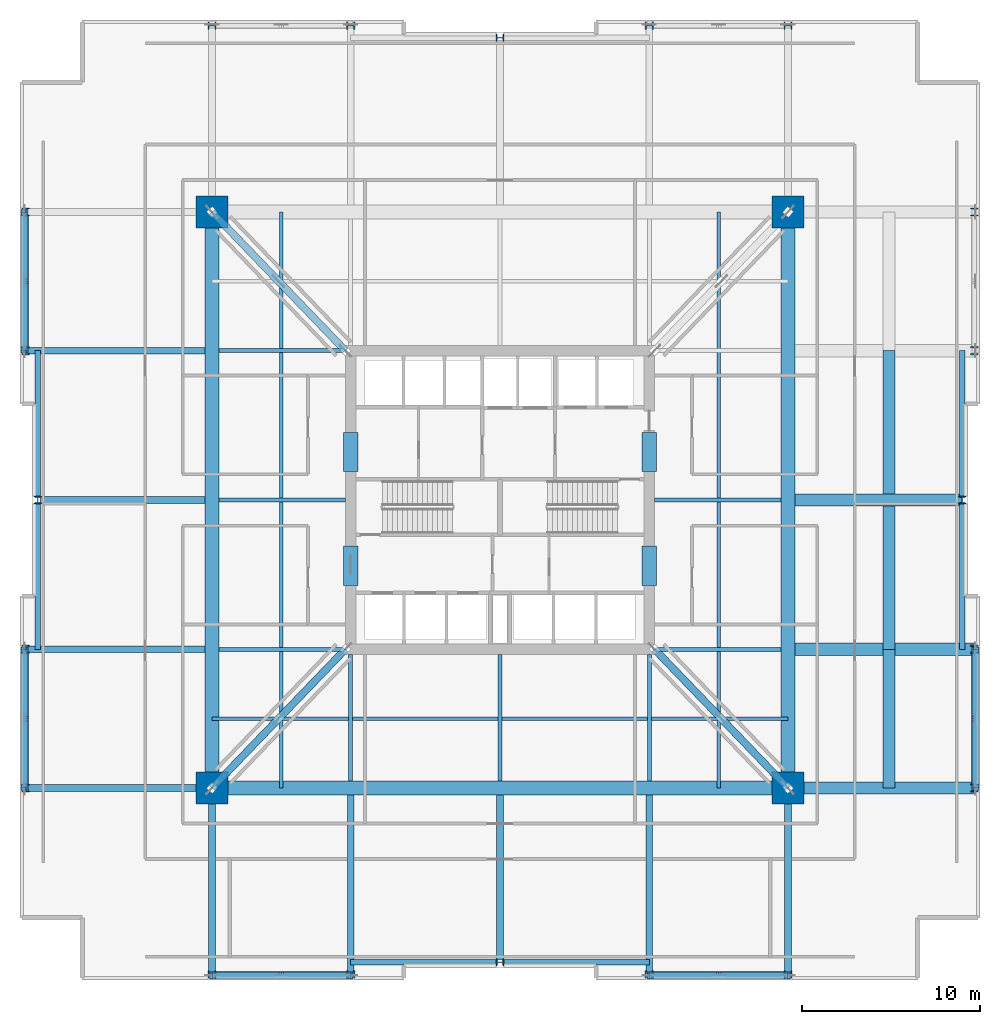
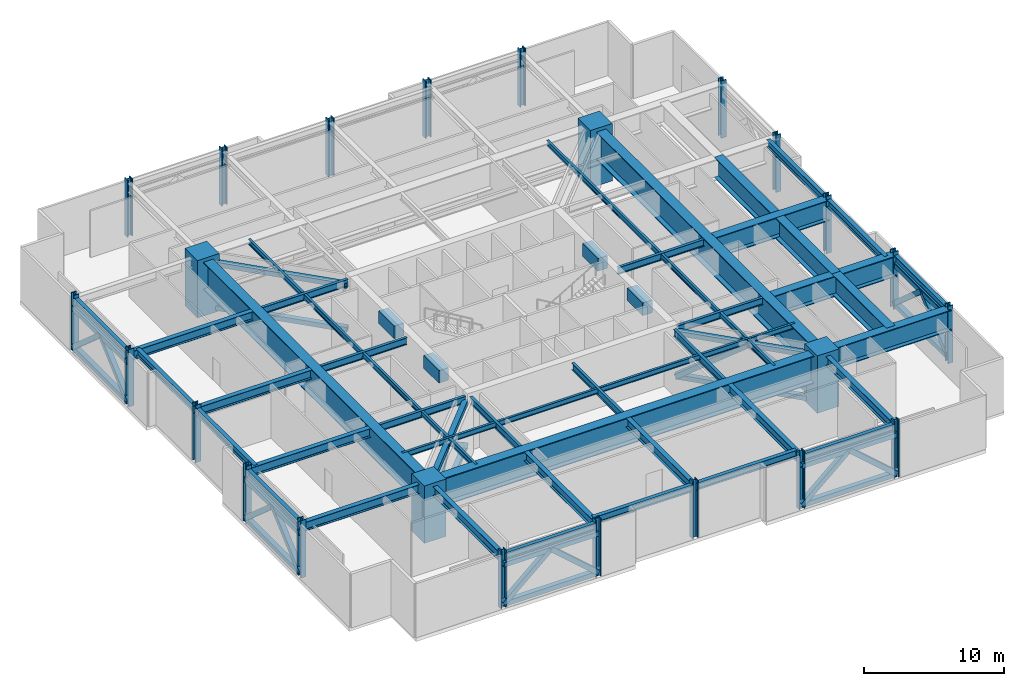
# One storey, part 1 of 13: 44 beams, 30 members, 24 columns.
"""IFC4 building model written with IfcOpenShell, lengths in metres."""

from ifc_helpers import new_model, si_unit, direction, frame, origin, origin_2d, place, context, subcontext, project, spatial, rectangle, hollow_rectangle, i_section, extrude, material, material_profile, profile_set, type_object, element, save


model = new_model("IFC4")

# Units and contexts
model_context = context("Model", 3, precision=1e-05, world=origin(), true_north=direction((0.0, 1.0)))
body_context = subcontext(model_context, "Body", "Model", "MODEL_VIEW")
ifc_project = project(units=[si_unit("LENGTHUNIT", "METRE"), si_unit("AREAUNIT", "SQUARE_METRE"), si_unit("VOLUMEUNIT", "CUBIC_METRE"), si_unit("PLANEANGLEUNIT", "RADIAN"), si_unit("MASSUNIT", "GRAM", prefix="KILO")], contexts=[model_context])

# Site, building, storey
site_placement = place(None, origin())
site = spatial("IfcSite", under=ifc_project, at=site_placement, CompositionType="ELEMENT")
building_placement = place(site_placement, origin())
building = spatial("IfcBuilding", under=site, at=building_placement, Name="Drelvath Grand Hotel", CompositionType="ELEMENT")
storey_placement = place(building_placement, frame((0.0, 0.0, 82.199951171875)))
storey = spatial("IfcBuildingStorey", under=building, at=storey_placement, Name="L20", CompositionType="ELEMENT", Elevation=82.199951171875)

# Columns
ifc_material_1 = material(Name="Concrete f'c 70 MPa", Category="concrete")
ifc_material_profile_1 = material_profile(ifc_material_1, rectangle(XDim=1.800048828125, YDim=1.800048828125, at=origin_2d()), Name="MC1800X1800")
ifc_profile_set_1 = profile_set([ifc_material_profile_1], Name="Concrete f'c 70 MPa")
column_type_1 = type_object("IfcColumnType", Name="Composite Mega Column MC1800X1800", PredefinedType="COLUMN", material=ifc_profile_set_1)
for number, where, z_axis, x_axis, name in (
    (1, (-16.199951171875, 10.800048828125, 0.0), (0.0, 0.0, 1.0), (1.0, 0.0, 0.0), "L20 Composite Mega Column MC-SW"),
    (2, (16.199951171875, 10.800048828125, 0.0), (0.0, 0.0, 1.0), (1.0, 0.0, 0.0), "L20 Composite Mega Column MC-SE"),
    (3, (-16.199951171875, 43.199951171875, 0.0), (0.0, 0.0, 1.0), (1.0, 0.0, 0.0), "L20 Composite Mega Column MC-NW"),
    (4, (16.199951171875, 43.199951171875, 0.0), (0.0, 0.0, 1.0), (1.0, 0.0, 0.0), "L20 Composite Mega Column MC-NE"),
):
    element("IfcColumn", number, at=place(storey_placement, frame(where, z_axis=z_axis, x_axis=x_axis)), inside=storey, type_object=column_type_1, Name=name, PredefinedType="COLUMN", context=body_context, shape_type="SweptSolid", body=[
        extrude(rectangle(XDim=1.800048828125, YDim=1.800048828125, at=origin_2d()), origin(), (0.0, 0.0, 1.0), 5.0),
    ])
ifc_material_2 = material(Name="Steel ASTM A913 Gr 65", Category="steel")
ifc_material_profile_2 = material_profile(ifc_material_2, i_section(OverallWidth=0.424072265625, OverallDepth=0.47412109375, WebThickness=0.047607421875, FlangeThickness=0.0771484375, FilletRadius=0.030029296875, at=origin_2d()), Name="W14X426")
ifc_profile_set_2 = profile_set([ifc_material_profile_2], Name="Steel ASTM A913 Gr 65")
column_type_2 = type_object("IfcColumnType", Name="Perimeter Steel Column W14X426", PredefinedType="COLUMN", material=ifc_profile_set_2)
for number, where, z_axis, x_axis, name in (
    (5, (-26.679931640625, 10.800048828125, 0.0), (0.0, 0.0, 1.0), (1.0, 0.0, 0.0), "L20 Structural Column TCW-C"),
    (6, (26.679931640625, 10.800048828125, 0.0), (0.0, 0.0, 1.0), (1.0, 0.0, 0.0), "L20 Structural Column TCE-C"),
    (7, (-26.679931640625, 18.60009765625, 0.0), (0.0, 0.0, 1.0), (1.0, 0.0, 0.0), "L20 Structural Column TCW-D"),
    (8, (26.679931640625, 18.60009765625, 0.0), (0.0, 0.0, 1.0), (1.0, 0.0, 0.0), "L20 Structural Column TCE-D"),
    (9, (-26.0, 27.0, 0.0), (0.0, 0.0, 1.0), (1.0, 0.0, 0.0), "L20 Structural Column TCW-E"),
    (10, (26.0, 27.0, 0.0), (0.0, 0.0, 1.0), (1.0, 0.0, 0.0), "L20 Structural Column TCE-E"),
    (11, (-26.679931640625, 35.39990234375, 0.0), (0.0, 0.0, 1.0), (1.0, 0.0, 0.0), "L20 Structural Column TCW-F"),
    (12, (26.679931640625, 35.39990234375, 0.0), (0.0, 0.0, 1.0), (1.0, 0.0, 0.0), "L20 Structural Column TCE-F"),
    (13, (-26.679931640625, 43.199951171875, 0.0), (0.0, 0.0, 1.0), (1.0, 0.0, 0.0), "L20 Structural Column TCW-G"),
    (14, (26.679931640625, 43.199951171875, 0.0), (0.0, 0.0, 1.0), (1.0, 0.0, 0.0), "L20 Structural Column TCE-G"),
    (15, (-16.199951171875, 0.320068359375, 0.0), (0.0, 0.0, 1.0), (0.0, 1.0, 0.0), "L20 Structural Column TCS-3"),
    (16, (-16.199951171875, 53.679931640625, 0.0), (0.0, 0.0, 1.0), (0.0, 1.0, 0.0), "L20 Structural Column TCN-3"),
    (17, (-8.39990234375, 0.320068359375, 0.0), (0.0, 0.0, 1.0), (0.0, 1.0, 0.0), "L20 Structural Column TCS-4"),
    (18, (-8.39990234375, 53.679931640625, 0.0), (0.0, 0.0, 1.0), (0.0, 1.0, 0.0), "L20 Structural Column TCN-4"),
    (19, (0.0, 1.0, 0.0), (0.0, 0.0, 1.0), (0.0, 1.0, 0.0), "L20 Structural Column TCS-5"),
    (20, (0.0, 53.0, 0.0), (0.0, 0.0, 1.0), (0.0, 1.0, 0.0), "L20 Structural Column TCN-5"),
    (21, (8.39990234375, 0.320068359375, 0.0), (0.0, 0.0, 1.0), (0.0, 1.0, 0.0), "L20 Structural Column TCS-6"),
    (22, (8.39990234375, 53.679931640625, 0.0), (0.0, 0.0, 1.0), (0.0, 1.0, 0.0), "L20 Structural Column TCN-6"),
    (23, (16.199951171875, 0.320068359375, 0.0), (0.0, 0.0, 1.0), (0.0, 1.0, 0.0), "L20 Structural Column TCS-7"),
    (24, (16.199951171875, 53.679931640625, 0.0), (0.0, 0.0, 1.0), (0.0, 1.0, 0.0), "L20 Structural Column TCN-7"),
):
    element("IfcColumn", number, at=place(storey_placement, frame(where, z_axis=z_axis, x_axis=x_axis)), inside=storey, type_object=column_type_2, Name=name, PredefinedType="COLUMN", context=body_context, shape_type="SweptSolid", body=[
        extrude(i_section(OverallWidth=0.424072265625, OverallDepth=0.47412109375, WebThickness=0.047607421875, FlangeThickness=0.0771484375, FilletRadius=0.030029296875, at=origin_2d()), origin(), (0.0, 0.0, 1.0), 4.9970703125),
    ])

# Beams
ifc_material_3 = material(Name="Steel ASTM A572 Gr 50", Category="steel")
ifc_material_profile_3 = material_profile(ifc_material_3, i_section(OverallWidth=0.699951171875, OverallDepth=1.800048828125, WebThickness=0.035888671875, FlangeThickness=0.06494140625, at=origin_2d()), Name="PG1800X700")
ifc_profile_set_3 = profile_set([ifc_material_profile_3], Name="Steel ASTM A572 Gr 50")
beam_type_1 = type_object("IfcBeamType", Name="Built-Up Transfer Girder PG1800X700", PredefinedType="BEAM", material=ifc_profile_set_3)
beam_1_placement = place(storey_placement, frame((21.8798828125, 10.800048828125, 3.800048828125), z_axis=(0.0, 1.0, 0.0), x_axis=(-1.0, 0.0, 0.0)))
element("IfcBeam", 25, at=beam_1_placement, inside=storey, type_object=beam_type_1, Name="L20 Setback Transfer Girder East 1", PredefinedType="BEAM", context=body_context, shape_type="SweptSolid", body=[
    extrude(i_section(OverallWidth=0.699951171875, OverallDepth=1.800048828125, WebThickness=0.035888671875, FlangeThickness=0.06494140625, at=origin_2d()), origin(), (0.0, 0.0, 1.0), 7.800048828125),
])
for number, where, z_axis, x_axis, name in (
    (26, (21.8798828125, 18.60009765625, 3.800048828125), (0.0, 1.0, 0.0), (-1.0, 0.0, 0.0), "L20 Setback Transfer Girder East 2"),
    (27, (21.8798828125, 27.35009765625, 3.800048828125), (0.0, 1.0, 0.0), (-1.0, 0.0, 0.0), "L20 Setback Transfer Girder East 3"),
):
    element("IfcBeam", number, at=place(storey_placement, frame(where, z_axis=z_axis, x_axis=x_axis)), inside=storey, type_object=beam_type_1, Name=name, PredefinedType="BEAM", context=body_context, shape_type="SweptSolid", body=[
        extrude(i_section(OverallWidth=0.699951171875, OverallDepth=1.800048828125, WebThickness=0.035888671875, FlangeThickness=0.06494140625, at=origin_2d()), origin(), (0.0, 0.0, 1.0), 8.0498046875),
    ])
beam_2_placement = place(storey_placement, frame((16.199951171875, 10.800048828125, 3.800048828125), z_axis=(1.0, 0.0, 0.0), x_axis=(0.0, 1.0, 0.0)))
element("IfcBeam", 28, at=beam_2_placement, inside=storey, type_object=beam_type_1, Name="L20 Setback Cross Transfer Girder C", PredefinedType="BEAM", context=body_context, shape_type="SweptSolid", body=[
    extrude(i_section(OverallWidth=0.699951171875, OverallDepth=1.800048828125, WebThickness=0.035888671875, FlangeThickness=0.06494140625, at=origin_2d()), origin(), (0.0, 0.0, 1.0), 10.47998046875),
])
beam_3_placement = place(storey_placement, frame((16.60009765625, 18.60009765625, 3.800048828125), z_axis=(1.0, 0.0, 0.0), x_axis=(0.0, 1.0, 0.0)))
element("IfcBeam", 29, at=beam_3_placement, inside=storey, type_object=beam_type_1, Name="L20 Setback Cross Transfer Girder D", PredefinedType="BEAM", context=body_context, shape_type="SweptSolid", body=[
    extrude(i_section(OverallWidth=0.699951171875, OverallDepth=1.800048828125, WebThickness=0.035888671875, FlangeThickness=0.06494140625, at=origin_2d()), origin(), (0.0, 0.0, 1.0), 10.079833984375),
])
beam_4_placement = place(storey_placement, frame((16.60009765625, 27.0, 3.800048828125), z_axis=(1.0, 0.0, 0.0), x_axis=(0.0, 1.0, 0.0)))
element("IfcBeam", 30, at=beam_4_placement, inside=storey, type_object=beam_type_1, Name="L20 Setback Cross Transfer Girder E", PredefinedType="BEAM", context=body_context, shape_type="SweptSolid", body=[
    extrude(i_section(OverallWidth=0.699951171875, OverallDepth=1.800048828125, WebThickness=0.035888671875, FlangeThickness=0.06494140625, at=origin_2d()), origin(), (0.0, 0.0, 1.0), 9.39990234375),
])
ifc_material_profile_4 = material_profile(ifc_material_3, i_section(OverallWidth=0.800048828125, OverallDepth=2.39990234375, WebThickness=0.0400390625, FlangeThickness=0.074951171875, at=origin_2d()), Name="PG2400X800")
ifc_profile_set_4 = profile_set([ifc_material_profile_4], Name="Steel ASTM A572 Gr 50")
beam_type_2 = type_object("IfcBeamType", Name="Built-Up Transfer Girder PG2400X800", PredefinedType="BEAM", material=ifc_profile_set_4)
for number, where, z_axis, x_axis, name in (
    (31, (-16.199951171875, 10.800048828125, 3.5), (1.0, 0.0, 0.0), (0.0, 1.0, 0.0), "L20 Mega Ring Girder South"),
    (32, (-16.199951171875, 10.800048828125, 3.5), (0.0, 1.0, 0.0), (-1.0, 0.0, 0.0), "L20 Mega Ring Girder West"),
    (33, (16.199951171875, 10.800048828125, 3.5), (0.0, 1.0, 0.0), (-1.0, 0.0, 0.0), "L20 Mega Ring Girder East"),
):
    element("IfcBeam", number, at=place(storey_placement, frame(where, z_axis=z_axis, x_axis=x_axis)), inside=storey, type_object=beam_type_2, Name=name, PredefinedType="BEAM", context=body_context, shape_type="SweptSolid", body=[
        extrude(i_section(OverallWidth=0.800048828125, OverallDepth=2.39990234375, WebThickness=0.0400390625, FlangeThickness=0.074951171875, at=origin_2d()), origin(), (0.0, 0.0, 1.0), 32.39990234375),
    ])
ifc_material_4 = material(Name="Steel ASTM A992 Gr 50", Category="steel")
ifc_material_profile_5 = material_profile(ifc_material_4, i_section(OverallWidth=0.19140625, OverallDepth=0.4599609375, WebThickness=0.010009765625, FlangeThickness=0.01611328125, FilletRadius=0.01611328125, at=origin_2d()), Name="W18X55")
ifc_profile_set_5 = profile_set([ifc_material_profile_5], Name="Steel ASTM A992 Gr 50")
beam_type_3 = type_object("IfcBeamType", Name="Composite Floor Joist W18X55", PredefinedType="JOIST", material=ifc_profile_set_5)
for number, where, z_axis, x_axis, name in (
    (34, (-16.199951171875, 14.699951171875, 4.469970703125), (1.0, 0.0, 0.0), (0.0, 1.0, 0.0), "L20 Floor Joist J1"),
    (35, (-12.300048828125, 10.800048828125, 4.469970703125), (0.0, 1.0, 0.0), (-1.0, 0.0, 0.0), "L20 Wing Floor Joist J3"),
    (36, (12.300048828125, 10.800048828125, 4.469970703125), (0.0, 1.0, 0.0), (-1.0, 0.0, 0.0), "L20 Wing Floor Joist J4"),
):
    element("IfcBeam", number, at=place(storey_placement, frame(where, z_axis=z_axis, x_axis=x_axis)), inside=storey, type_object=beam_type_3, Name=name, PredefinedType="JOIST", context=body_context, shape_type="SweptSolid", body=[
        extrude(i_section(OverallWidth=0.19140625, OverallDepth=0.4599609375, WebThickness=0.010009765625, FlangeThickness=0.01611328125, FilletRadius=0.01611328125, at=origin_2d()), origin(), (0.0, 0.0, 1.0), 32.39990234375),
    ])
ifc_material_profile_6 = material_profile(ifc_material_1, rectangle(XDim=0.800048828125, YDim=1.10009765625, at=origin_2d()), Name="CB800X1100")
ifc_profile_set_6 = profile_set([ifc_material_profile_6], Name="Concrete f'c 70 MPa")
beam_type_4 = type_object("IfcBeamType", Name="Core Coupling Lintel CB800X1100", PredefinedType="LINTEL", material=ifc_profile_set_6)
for number, where, z_axis, x_axis, name in (
    (37, (-8.39990234375, 22.199951171875, 4.150146484375), (0.0, 1.0, 0.0), (-1.0, 0.0, 0.0), "L20 Core Coupling Lintel WS"),
    (38, (-8.39990234375, 28.60009765625, 4.150146484375), (0.0, 1.0, 0.0), (-1.0, 0.0, 0.0), "L20 Core Coupling Lintel WN"),
    (39, (8.39990234375, 22.199951171875, 4.150146484375), (0.0, 1.0, 0.0), (-1.0, 0.0, 0.0), "L20 Core Coupling Lintel ES"),
    (40, (8.39990234375, 28.60009765625, 4.150146484375), (0.0, 1.0, 0.0), (-1.0, 0.0, 0.0), "L20 Core Coupling Lintel EN"),
):
    element("IfcBeam", number, at=place(storey_placement, frame(where, z_axis=z_axis, x_axis=x_axis)), inside=storey, type_object=beam_type_4, Name=name, PredefinedType="LINTEL", context=body_context, shape_type="SweptSolid", body=[
        extrude(rectangle(XDim=0.800048828125, YDim=1.10009765625, at=origin_2d()), origin(), (0.0, 0.0, 1.0), 2.199951171875),
    ])

# Members
ifc_material_5 = material(Name="Steel ASTM A500 Gr C", Category="steel")
ifc_material_profile_7 = material_profile(ifc_material_5, hollow_rectangle(XDim=0.406494140625, YDim=0.406494140625, WallThickness=0.015869140625, at=origin_2d()), Name="HSS406X406X16")
ifc_profile_set_7 = profile_set([ifc_material_profile_7], Name="Steel ASTM A500 Gr C")
member_type_1 = type_object("IfcMemberType", Name="Outrigger and Belt Truss Brace HSS406X406X16", PredefinedType="BRACE", material=ifc_profile_set_7)
for number, where, z_axis, x_axis, name in (
    (41, (-8.699951171875, 18.60009765625, 0.35009765625), (-0.567180022791, -0.589889379173, 0.574749808252), (0.720846071131, -0.693095189519, 0.0), "L20 Outrigger Truss Diagonal SW-1"),
    (42, (-12.449951171875, 14.699951171875, 4.150146484375), (-0.567192377196, -0.589865301649, -0.574762327542), (0.720824393659, -0.693117734231, 0.0), "L20 Outrigger Truss Diagonal SW-2"),
    (43, (8.699951171875, 18.60009765625, 0.35009765625), (0.567180022791, -0.589889379173, 0.574749808252), (0.720846071131, 0.693095189519, 0.0), "L20 Outrigger Truss Diagonal SE-1"),
    (44, (12.449951171875, 14.699951171875, 4.150146484375), (0.567192377196, -0.589865301649, -0.574762327542), (0.720824393659, 0.693117734231, 0.0), "L20 Outrigger Truss Diagonal SE-2"),
):
    element("IfcMember", number, at=place(storey_placement, frame(where, z_axis=z_axis, x_axis=x_axis)), inside=storey, type_object=member_type_1, Name=name, PredefinedType="BRACE", context=body_context, shape_type="SweptSolid", body=[
        extrude(hollow_rectangle(XDim=0.406494140625, YDim=0.406494140625, WallThickness=0.015869140625, at=origin_2d()), origin(), (0.0, 0.0, 1.0), 6.611572265625),
    ])
member_1_placement = place(storey_placement, frame((-26.75, 10.800048828125, 0.35009765625), z_axis=(0.0, 0.750902788977, 0.660412750866), x_axis=(-1.0, 0.0, 0.0)))
element("IfcMember", 45, at=member_1_placement, inside=storey, type_object=member_type_1, Name="L20 Belt Truss Diagonal BW-S-1", PredefinedType="BRACE", context=body_context, shape_type="SweptSolid", body=[
    extrude(hollow_rectangle(XDim=0.406494140625, YDim=0.406494140625, WallThickness=0.015869140625, at=origin_2d()), origin(), (0.0, 0.0, 1.0), 5.193603515625),
])
for number, where, z_axis, x_axis, name in (
    (46, (-26.75, 14.699951171875, 3.780029296875), (0.0, 0.750923290114, -0.660389439925), (-1.0, 0.0, 0.0), "L20 Belt Truss Diagonal BW-S-2"),
    (47, (-26.75, 35.39990234375, 0.35009765625), (0.0, 0.750923290114, 0.660389439925), (-1.0, 0.0, 0.0), "L20 Belt Truss Diagonal BW-N-1"),
):
    element("IfcMember", number, at=place(storey_placement, frame(where, z_axis=z_axis, x_axis=x_axis)), inside=storey, type_object=member_type_1, Name=name, PredefinedType="BRACE", context=body_context, shape_type="SweptSolid", body=[
        extrude(hollow_rectangle(XDim=0.406494140625, YDim=0.406494140625, WallThickness=0.015869140625, at=origin_2d()), origin(), (0.0, 0.0, 1.0), 5.19384765625),
    ])
for number, where, z_axis, x_axis, name in (
    (48, (-26.75, 39.300048828125, 3.780029296875), (0.0, 0.750902788977, -0.660412750866), (-1.0, 0.0, 0.0), "L20 Belt Truss Diagonal BW-N-2"),
    (49, (26.75, 10.800048828125, 0.35009765625), (0.0, 0.750902788977, 0.660412750866), (-1.0, 0.0, 0.0), "L20 Belt Truss Diagonal BE-S-1"),
):
    element("IfcMember", number, at=place(storey_placement, frame(where, z_axis=z_axis, x_axis=x_axis)), inside=storey, type_object=member_type_1, Name=name, PredefinedType="BRACE", context=body_context, shape_type="SweptSolid", body=[
        extrude(hollow_rectangle(XDim=0.406494140625, YDim=0.406494140625, WallThickness=0.015869140625, at=origin_2d()), origin(), (0.0, 0.0, 1.0), 5.193603515625),
    ])
member_2_placement = place(storey_placement, frame((26.75, 14.699951171875, 3.780029296875), z_axis=(0.0, 0.750923290114, -0.660389439925), x_axis=(-1.0, 0.0, 0.0)))
element("IfcMember", 50, at=member_2_placement, inside=storey, type_object=member_type_1, Name="L20 Belt Truss Diagonal BE-S-2", PredefinedType="BRACE", context=body_context, shape_type="SweptSolid", body=[
    extrude(hollow_rectangle(XDim=0.406494140625, YDim=0.406494140625, WallThickness=0.015869140625, at=origin_2d()), origin(), (0.0, 0.0, 1.0), 5.19384765625),
])
member_3_placement = place(storey_placement, frame((-16.199951171875, 0.25, 0.35009765625), z_axis=(0.750902788977, 0.0, 0.660412750866), x_axis=(0.0, 1.0, 0.0)))
element("IfcMember", 51, at=member_3_placement, inside=storey, type_object=member_type_1, Name="L20 Belt Truss Diagonal BS-W-1", PredefinedType="BRACE", context=body_context, shape_type="SweptSolid", body=[
    extrude(hollow_rectangle(XDim=0.406494140625, YDim=0.406494140625, WallThickness=0.015869140625, at=origin_2d()), origin(), (0.0, 0.0, 1.0), 5.193603515625),
])
for number, where, z_axis, x_axis, name in (
    (52, (-12.300048828125, 0.25, 3.780029296875), (0.750923290114, 0.0, -0.660389439925), (0.0, 1.0, 0.0), "L20 Belt Truss Diagonal BS-W-2"),
    (53, (8.39990234375, 0.25, 0.35009765625), (0.750923290114, 0.0, 0.660389439925), (0.0, 1.0, 0.0), "L20 Belt Truss Diagonal BS-E-1"),
):
    element("IfcMember", number, at=place(storey_placement, frame(where, z_axis=z_axis, x_axis=x_axis)), inside=storey, type_object=member_type_1, Name=name, PredefinedType="BRACE", context=body_context, shape_type="SweptSolid", body=[
        extrude(hollow_rectangle(XDim=0.406494140625, YDim=0.406494140625, WallThickness=0.015869140625, at=origin_2d()), origin(), (0.0, 0.0, 1.0), 5.19384765625),
    ])
member_4_placement = place(storey_placement, frame((12.300048828125, 0.25, 3.780029296875), z_axis=(0.750902788977, 0.0, -0.660412750866), x_axis=(0.0, 1.0, 0.0)))
element("IfcMember", 54, at=member_4_placement, inside=storey, type_object=member_type_1, Name="L20 Belt Truss Diagonal BS-E-2", PredefinedType="BRACE", context=body_context, shape_type="SweptSolid", body=[
    extrude(hollow_rectangle(XDim=0.406494140625, YDim=0.406494140625, WallThickness=0.015869140625, at=origin_2d()), origin(), (0.0, 0.0, 1.0), 5.193603515625),
])
ifc_material_profile_8 = material_profile(ifc_material_5, hollow_rectangle(XDim=0.406494140625, YDim=0.406494140625, WallThickness=0.015869140625, at=origin_2d()), Name="HSS406X406X16")
ifc_profile_set_8 = profile_set([ifc_material_profile_8], Name="Steel ASTM A500 Gr C")
member_type_2 = type_object("IfcMemberType", Name="Outrigger and Belt Truss Chord HSS406X406X16", PredefinedType="CHORD", material=ifc_profile_set_8)
for number, where, z_axis, x_axis, name in (
    (55, (-8.699951171875, 18.60009765625, 0.35009765625), (-0.693106461777, -0.72083523266, 0.0), (0.72083523266, -0.693106461777, 0.0), "L20 Outrigger Truss Bottom Chord SW"),
    (56, (-8.699951171875, 18.60009765625, 4.150146484375), (-0.693106461777, -0.72083523266, 0.0), (0.72083523266, -0.693106461777, 0.0), "L20 Outrigger Truss Top Chord SW"),
    (57, (8.699951171875, 18.60009765625, 0.35009765625), (0.693106461777, -0.72083523266, 0.0), (0.72083523266, 0.693106461777, 0.0), "L20 Outrigger Truss Bottom Chord SE"),
    (58, (8.699951171875, 18.60009765625, 4.150146484375), (0.693106461777, -0.72083523266, 0.0), (0.72083523266, 0.693106461777, 0.0), "L20 Outrigger Truss Top Chord SE"),
    (59, (-8.699951171875, 35.39990234375, 0.35009765625), (-0.693106461777, 0.72083523266, 0.0), (-0.72083523266, -0.693106461777, 0.0), "L20 Outrigger Truss Bottom Chord NW"),
    (60, (-8.699951171875, 35.39990234375, 4.150146484375), (-0.693106461777, 0.72083523266, 0.0), (-0.72083523266, -0.693106461777, 0.0), "L20 Outrigger Truss Top Chord NW"),
):
    element("IfcMember", number, at=place(storey_placement, frame(where, z_axis=z_axis, x_axis=x_axis)), inside=storey, type_object=member_type_2, Name=name, PredefinedType="CHORD", context=body_context, shape_type="SweptSolid", body=[
        extrude(hollow_rectangle(XDim=0.406494140625, YDim=0.406494140625, WallThickness=0.015869140625, at=origin_2d()), origin(), (0.0, 0.0, 1.0), 10.82080078125),
    ])
for number, where, z_axis, x_axis, name in (
    (61, (-26.75, 10.800048828125, 0.35009765625), (0.0, 1.0, 0.0), (-1.0, 0.0, 0.0), "L20 Belt Truss Bottom Chord BW-S"),
    (62, (-26.75, 10.800048828125, 3.780029296875), (0.0, 1.0, 0.0), (-1.0, 0.0, 0.0), "L20 Belt Truss Top Chord BW-S"),
    (63, (-26.75, 35.39990234375, 0.35009765625), (0.0, 1.0, 0.0), (-1.0, 0.0, 0.0), "L20 Belt Truss Bottom Chord BW-N"),
    (64, (-26.75, 35.39990234375, 3.780029296875), (0.0, 1.0, 0.0), (-1.0, 0.0, 0.0), "L20 Belt Truss Top Chord BW-N"),
    (65, (26.75, 10.800048828125, 0.35009765625), (0.0, 1.0, 0.0), (-1.0, 0.0, 0.0), "L20 Belt Truss Bottom Chord BE-S"),
    (66, (26.75, 10.800048828125, 3.780029296875), (0.0, 1.0, 0.0), (-1.0, 0.0, 0.0), "L20 Belt Truss Top Chord BE-S"),
    (67, (-16.199951171875, 0.25, 0.35009765625), (1.0, 0.0, 0.0), (0.0, 1.0, 0.0), "L20 Belt Truss Bottom Chord BS-W"),
    (68, (-16.199951171875, 0.25, 3.780029296875), (1.0, 0.0, 0.0), (0.0, 1.0, 0.0), "L20 Belt Truss Top Chord BS-W"),
    (69, (8.39990234375, 0.25, 0.35009765625), (1.0, 0.0, 0.0), (0.0, 1.0, 0.0), "L20 Belt Truss Bottom Chord BS-E"),
    (70, (8.39990234375, 0.25, 3.780029296875), (1.0, 0.0, 0.0), (0.0, 1.0, 0.0), "L20 Belt Truss Top Chord BS-E"),
):
    element("IfcMember", number, at=place(storey_placement, frame(where, z_axis=z_axis, x_axis=x_axis)), inside=storey, type_object=member_type_2, Name=name, PredefinedType="CHORD", context=body_context, shape_type="SweptSolid", body=[
        extrude(hollow_rectangle(XDim=0.406494140625, YDim=0.406494140625, WallThickness=0.015869140625, at=origin_2d()), origin(), (0.0, 0.0, 1.0), 7.800048828125),
    ])

# Beams
ifc_material_profile_9 = material_profile(ifc_material_4, i_section(OverallWidth=0.323974609375, OverallDepth=0.611083984375, WebThickness=0.0126953125, FlangeThickness=0.01904296875, FilletRadius=0.02197265625, at=origin_2d()), Name="W24X104")
ifc_profile_set_9 = profile_set([ifc_material_profile_9], Name="Steel ASTM A992 Gr 50")
beam_type_5 = type_object("IfcBeamType", Name="Perimeter Spandrel Beam W24X104", PredefinedType="SPANDREL", material=ifc_profile_set_9)
beam_5_placement = place(storey_placement, frame((-26.679931640625, 10.93994140625, 4.39453125), z_axis=(0.0, 1.0, 0.0), x_axis=(-1.0, 0.0, 0.0)))
element("IfcBeam", 71, at=beam_5_placement, inside=storey, type_object=beam_type_5, Name="L20 Spandrel West S", PredefinedType="SPANDREL", context=body_context, shape_type="SweptSolid", body=[
    extrude(i_section(OverallWidth=0.323974609375, OverallDepth=0.611083984375, WebThickness=0.0126953125, FlangeThickness=0.01904296875, FilletRadius=0.02197265625, at=origin_2d()), origin(), (0.0, 0.0, 1.0), 7.52001953125),
])
for number, where, z_axis, x_axis, name in (
    (72, (-26.0, 18.60009765625, 4.39453125), (0.0, 1.0, 0.0), (-1.0, 0.0, 0.0), "L20 Spandrel West Mid S"),
    (73, (-26.0, 27.139892578125, 4.39453125), (0.0, 1.0, 0.0), (-1.0, 0.0, 0.0), "L20 Spandrel West Mid N"),
):
    element("IfcBeam", number, at=place(storey_placement, frame(where, z_axis=z_axis, x_axis=x_axis)), inside=storey, type_object=beam_type_5, Name=name, PredefinedType="SPANDREL", context=body_context, shape_type="SweptSolid", body=[
        extrude(i_section(OverallWidth=0.323974609375, OverallDepth=0.611083984375, WebThickness=0.0126953125, FlangeThickness=0.01904296875, FilletRadius=0.02197265625, at=origin_2d()), origin(), (0.0, 0.0, 1.0), 8.260009765625),
    ])
for number, where, z_axis, x_axis, name in (
    (74, (-26.679931640625, 35.5400390625, 4.39453125), (0.0, 1.0, 0.0), (-1.0, 0.0, 0.0), "L20 Spandrel West N"),
    (75, (26.679931640625, 10.93994140625, 4.39453125), (0.0, 1.0, 0.0), (-1.0, 0.0, 0.0), "L20 Spandrel East S"),
):
    element("IfcBeam", number, at=place(storey_placement, frame(where, z_axis=z_axis, x_axis=x_axis)), inside=storey, type_object=beam_type_5, Name=name, PredefinedType="SPANDREL", context=body_context, shape_type="SweptSolid", body=[
        extrude(i_section(OverallWidth=0.323974609375, OverallDepth=0.611083984375, WebThickness=0.0126953125, FlangeThickness=0.01904296875, FilletRadius=0.02197265625, at=origin_2d()), origin(), (0.0, 0.0, 1.0), 7.52001953125),
    ])
for number, where, z_axis, x_axis, name in (
    (76, (26.0, 18.60009765625, 4.39453125), (0.0, 1.0, 0.0), (-1.0, 0.0, 0.0), "L20 Spandrel East Mid S"),
    (77, (26.0, 27.139892578125, 4.39453125), (0.0, 1.0, 0.0), (-1.0, 0.0, 0.0), "L20 Spandrel East Mid N"),
):
    element("IfcBeam", number, at=place(storey_placement, frame(where, z_axis=z_axis, x_axis=x_axis)), inside=storey, type_object=beam_type_5, Name=name, PredefinedType="SPANDREL", context=body_context, shape_type="SweptSolid", body=[
        extrude(i_section(OverallWidth=0.323974609375, OverallDepth=0.611083984375, WebThickness=0.0126953125, FlangeThickness=0.01904296875, FilletRadius=0.02197265625, at=origin_2d()), origin(), (0.0, 0.0, 1.0), 8.260009765625),
    ])
beam_6_placement = place(storey_placement, frame((-16.06005859375, 0.320068359375, 4.39453125), z_axis=(1.0, 0.0, 0.0), x_axis=(0.0, 1.0, 0.0)))
element("IfcBeam", 78, at=beam_6_placement, inside=storey, type_object=beam_type_5, Name="L20 Spandrel South W", PredefinedType="SPANDREL", context=body_context, shape_type="SweptSolid", body=[
    extrude(i_section(OverallWidth=0.323974609375, OverallDepth=0.611083984375, WebThickness=0.0126953125, FlangeThickness=0.01904296875, FilletRadius=0.02197265625, at=origin_2d()), origin(), (0.0, 0.0, 1.0), 7.52001953125),
])
for number, where, z_axis, x_axis, name in (
    (79, (-8.39990234375, 1.0, 4.39453125), (1.0, 0.0, 0.0), (0.0, 1.0, 0.0), "L20 Spandrel South Mid W"),
    (80, (0.139892578125, 1.0, 4.39453125), (1.0, 0.0, 0.0), (0.0, 1.0, 0.0), "L20 Spandrel South Mid E"),
):
    element("IfcBeam", number, at=place(storey_placement, frame(where, z_axis=z_axis, x_axis=x_axis)), inside=storey, type_object=beam_type_5, Name=name, PredefinedType="SPANDREL", context=body_context, shape_type="SweptSolid", body=[
        extrude(i_section(OverallWidth=0.323974609375, OverallDepth=0.611083984375, WebThickness=0.0126953125, FlangeThickness=0.01904296875, FilletRadius=0.02197265625, at=origin_2d()), origin(), (0.0, 0.0, 1.0), 8.260009765625),
    ])
beam_7_placement = place(storey_placement, frame((8.5400390625, 0.320068359375, 4.39453125), z_axis=(1.0, 0.0, 0.0), x_axis=(0.0, 1.0, 0.0)))
element("IfcBeam", 81, at=beam_7_placement, inside=storey, type_object=beam_type_5, Name="L20 Spandrel South E", PredefinedType="SPANDREL", context=body_context, shape_type="SweptSolid", body=[
    extrude(i_section(OverallWidth=0.323974609375, OverallDepth=0.611083984375, WebThickness=0.0126953125, FlangeThickness=0.01904296875, FilletRadius=0.02197265625, at=origin_2d()), origin(), (0.0, 0.0, 1.0), 7.52001953125),
])
ifc_material_profile_10 = material_profile(ifc_material_4, i_section(OverallWidth=0.228271484375, OverallDepth=0.607666015625, WebThickness=0.01123046875, FlangeThickness=0.017333984375, FilletRadius=0.02001953125, at=origin_2d()), Name="W24X76")
ifc_profile_set_10 = profile_set([ifc_material_profile_10], Name="Steel ASTM A992 Gr 50")
beam_type_6 = type_object("IfcBeamType", Name="Primary Floor Girder W24X76", PredefinedType="BEAM", material=ifc_profile_set_10)
for number, where, z_axis, x_axis, name in (
    (82, (-15.800048828125, 18.60009765625, 4.396240234375), (1.0, 0.0, 0.0), (0.0, 1.0, 0.0), "L20 West Core Tie D"),
    (83, (8.699951171875, 18.60009765625, 4.396240234375), (1.0, 0.0, 0.0), (0.0, 1.0, 0.0), "L20 East Core Tie D"),
    (84, (-15.800048828125, 27.0, 4.396240234375), (1.0, 0.0, 0.0), (0.0, 1.0, 0.0), "L20 West Core Tie E"),
    (85, (8.699951171875, 27.0, 4.396240234375), (1.0, 0.0, 0.0), (0.0, 1.0, 0.0), "L20 East Core Tie E"),
    (86, (-15.800048828125, 35.39990234375, 4.396240234375), (1.0, 0.0, 0.0), (0.0, 1.0, 0.0), "L20 West Core Tie F"),
    (87, (-8.39990234375, 11.199951171875, 4.396240234375), (0.0, 1.0, 0.0), (-1.0, 0.0, 0.0), "L20 South Core Tie 4"),
    (88, (0.0, 11.199951171875, 4.396240234375), (0.0, 1.0, 0.0), (-1.0, 0.0, 0.0), "L20 South Core Tie 5"),
    (89, (8.39990234375, 11.199951171875, 4.396240234375), (0.0, 1.0, 0.0), (-1.0, 0.0, 0.0), "L20 South Core Tie 6"),
):
    element("IfcBeam", number, at=place(storey_placement, frame(where, z_axis=z_axis, x_axis=x_axis)), inside=storey, type_object=beam_type_6, Name=name, PredefinedType="BEAM", context=body_context, shape_type="SweptSolid", body=[
        extrude(i_section(OverallWidth=0.228271484375, OverallDepth=0.607666015625, WebThickness=0.01123046875, FlangeThickness=0.017333984375, FilletRadius=0.02001953125, at=origin_2d()), origin(), (0.0, 0.0, 1.0), 7.10009765625),
    ])
ifc_material_profile_11 = material_profile(ifc_material_4, i_section(OverallWidth=0.380615234375, OverallDepth=0.773193359375, WebThickness=0.0166015625, FlangeThickness=0.027099609375, FilletRadius=0.02490234375, at=origin_2d()), Name="W30X173")
ifc_profile_set_11 = profile_set([ifc_material_profile_11], Name="Steel ASTM A992 Gr 50")
beam_type_7 = type_object("IfcBeamType", Name="Primary Floor Girder W30X173", PredefinedType="BEAM", material=ifc_profile_set_11)
beam_8_placement = place(storey_placement, frame((-26.5400390625, 10.800048828125, 4.3134765625), z_axis=(1.0, 0.0, 0.0), x_axis=(0.0, 1.0, 0.0)))
element("IfcBeam", 90, at=beam_8_placement, inside=storey, type_object=beam_type_7, Name="L20 West Grid Girder C", PredefinedType="BEAM", context=body_context, shape_type="SweptSolid", body=[
    extrude(i_section(OverallWidth=0.380615234375, OverallDepth=0.773193359375, WebThickness=0.0166015625, FlangeThickness=0.027099609375, FilletRadius=0.02490234375, at=origin_2d()), origin(), (0.0, 0.0, 1.0), 10.340087890625),
])
beam_9_placement = place(storey_placement, frame((-26.5400390625, 18.60009765625, 4.3134765625), z_axis=(1.0, 0.0, 0.0), x_axis=(0.0, 1.0, 0.0)))
element("IfcBeam", 91, at=beam_9_placement, inside=storey, type_object=beam_type_7, Name="L20 West Wing Girder D", PredefinedType="BEAM", context=body_context, shape_type="SweptSolid", body=[
    extrude(i_section(OverallWidth=0.380615234375, OverallDepth=0.773193359375, WebThickness=0.0166015625, FlangeThickness=0.027099609375, FilletRadius=0.02490234375, at=origin_2d()), origin(), (0.0, 0.0, 1.0), 9.93994140625),
])
beam_10_placement = place(storey_placement, frame((-25.860107421875, 27.0, 4.3134765625), z_axis=(1.0, 0.0, 0.0), x_axis=(0.0, 1.0, 0.0)))
element("IfcBeam", 92, at=beam_10_placement, inside=storey, type_object=beam_type_7, Name="L20 West Wing Girder E", PredefinedType="BEAM", context=body_context, shape_type="SweptSolid", body=[
    extrude(i_section(OverallWidth=0.380615234375, OverallDepth=0.773193359375, WebThickness=0.0166015625, FlangeThickness=0.027099609375, FilletRadius=0.02490234375, at=origin_2d()), origin(), (0.0, 0.0, 1.0), 9.260009765625),
])
beam_11_placement = place(storey_placement, frame((-26.5400390625, 35.39990234375, 4.3134765625), z_axis=(1.0, 0.0, 0.0), x_axis=(0.0, 1.0, 0.0)))
element("IfcBeam", 93, at=beam_11_placement, inside=storey, type_object=beam_type_7, Name="L20 West Wing Girder F", PredefinedType="BEAM", context=body_context, shape_type="SweptSolid", body=[
    extrude(i_section(OverallWidth=0.380615234375, OverallDepth=0.773193359375, WebThickness=0.0166015625, FlangeThickness=0.027099609375, FilletRadius=0.02490234375, at=origin_2d()), origin(), (0.0, 0.0, 1.0), 9.93994140625),
])
for number, where, z_axis, x_axis, name in (
    (94, (-16.199951171875, 0.4599609375, 4.3134765625), (0.0, 1.0, 0.0), (-1.0, 0.0, 0.0), "L20 South Grid Girder 3"),
    (95, (16.199951171875, 0.4599609375, 4.3134765625), (0.0, 1.0, 0.0), (-1.0, 0.0, 0.0), "L20 South Grid Girder 7"),
):
    element("IfcBeam", number, at=place(storey_placement, frame(where, z_axis=z_axis, x_axis=x_axis)), inside=storey, type_object=beam_type_7, Name=name, PredefinedType="BEAM", context=body_context, shape_type="SweptSolid", body=[
        extrude(i_section(OverallWidth=0.380615234375, OverallDepth=0.773193359375, WebThickness=0.0166015625, FlangeThickness=0.027099609375, FilletRadius=0.02490234375, at=origin_2d()), origin(), (0.0, 0.0, 1.0), 10.340087890625),
    ])
beam_12_placement = place(storey_placement, frame((-8.39990234375, 0.4599609375, 4.3134765625), z_axis=(0.0, 1.0, 0.0), x_axis=(-1.0, 0.0, 0.0)))
element("IfcBeam", 96, at=beam_12_placement, inside=storey, type_object=beam_type_7, Name="L20 South Wing Girder 4", PredefinedType="BEAM", context=body_context, shape_type="SweptSolid", body=[
    extrude(i_section(OverallWidth=0.380615234375, OverallDepth=0.773193359375, WebThickness=0.0166015625, FlangeThickness=0.027099609375, FilletRadius=0.02490234375, at=origin_2d()), origin(), (0.0, 0.0, 1.0), 9.93994140625),
])
beam_13_placement = place(storey_placement, frame((0.0, 1.139892578125, 4.3134765625), z_axis=(0.0, 1.0, 0.0), x_axis=(-1.0, 0.0, 0.0)))
element("IfcBeam", 97, at=beam_13_placement, inside=storey, type_object=beam_type_7, Name="L20 South Wing Girder 5", PredefinedType="BEAM", context=body_context, shape_type="SweptSolid", body=[
    extrude(i_section(OverallWidth=0.380615234375, OverallDepth=0.773193359375, WebThickness=0.0166015625, FlangeThickness=0.027099609375, FilletRadius=0.02490234375, at=origin_2d()), origin(), (0.0, 0.0, 1.0), 9.260009765625),
])
beam_14_placement = place(storey_placement, frame((8.39990234375, 0.4599609375, 4.3134765625), z_axis=(0.0, 1.0, 0.0), x_axis=(-1.0, 0.0, 0.0)))
element("IfcBeam", 98, at=beam_14_placement, inside=storey, type_object=beam_type_7, Name="L20 South Wing Girder 6", PredefinedType="BEAM", context=body_context, shape_type="SweptSolid", body=[
    extrude(i_section(OverallWidth=0.380615234375, OverallDepth=0.773193359375, WebThickness=0.0166015625, FlangeThickness=0.027099609375, FilletRadius=0.02490234375, at=origin_2d()), origin(), (0.0, 0.0, 1.0), 9.93994140625),
])

save(model, "model.ifc")
